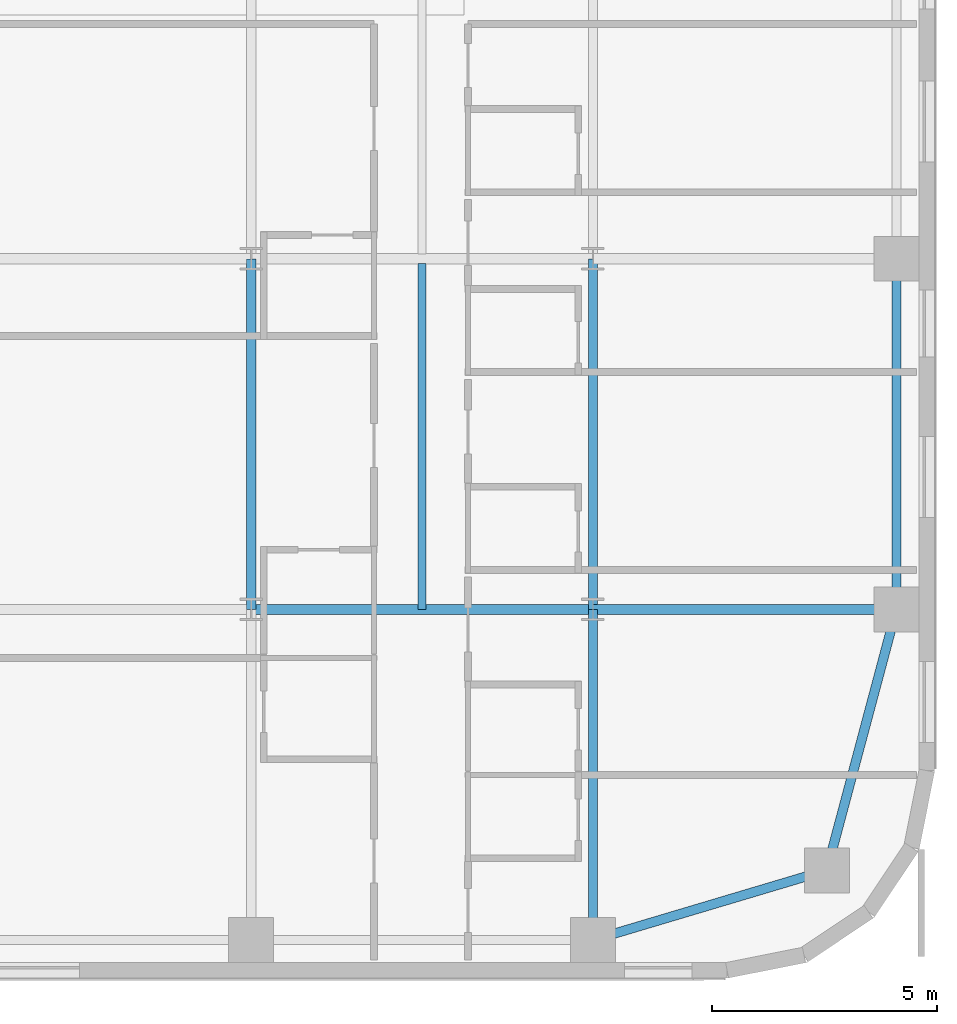
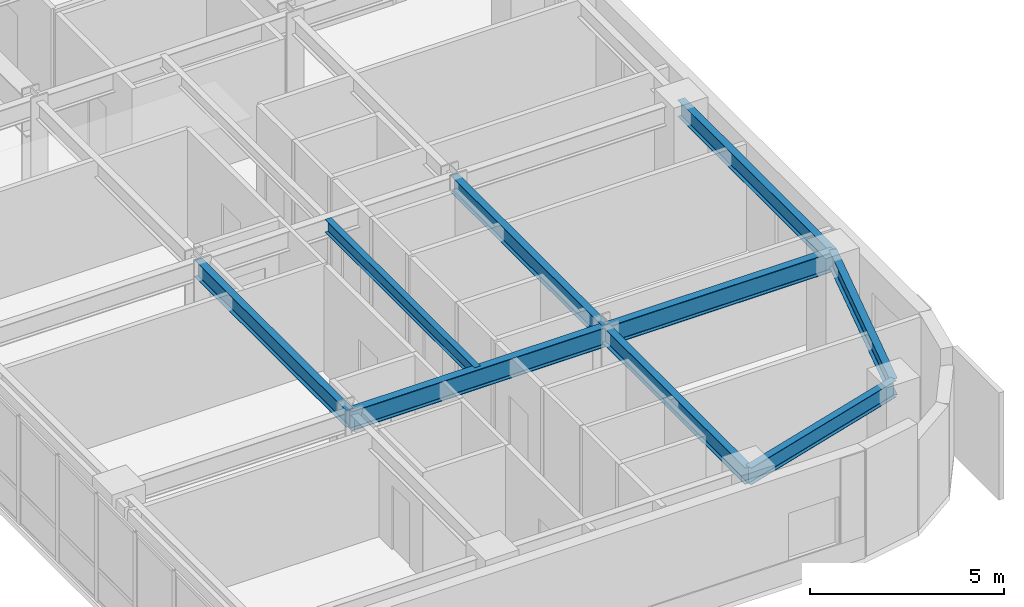
# One storey, part 10 of 25: 9 beams.
"""IFC4 building model written with IfcOpenShell, lengths in metres."""

from ifc_helpers import new_model, si_unit, direction, frame, origin, origin_2d, place, context, subcontext, project, spatial, i_section, extrude, source, transform, mapped, material, material_profile, profile_set, type_object, type_shapes, element, save


model = new_model("IFC4")

# Units and contexts
model_context = context("Model", 3, precision=1e-05, world=origin(), true_north=direction((0.0, 1.0)))
body_context = subcontext(model_context, "Body", "Model", "MODEL_VIEW")
ifc_project = project(units=[si_unit("LENGTHUNIT", "METRE"), si_unit("AREAUNIT", "SQUARE_METRE"), si_unit("VOLUMEUNIT", "CUBIC_METRE"), si_unit("PLANEANGLEUNIT", "RADIAN"), si_unit("MASSUNIT", "GRAM", prefix="KILO")], contexts=[model_context])

# Site, building, storey
site_placement = place(None, origin())
site = spatial("IfcSite", under=ifc_project, at=site_placement, CompositionType="ELEMENT")
building_placement = place(site_placement, origin())
building = spatial("IfcBuilding", under=site, at=building_placement, Name="Tolvann Quenvar Hotel", CompositionType="ELEMENT")
storey_placement = place(building_placement, frame((0.0, 0.0, 39.10009765625)))
storey = spatial("IfcBuildingStorey", under=building, at=storey_placement, Name="L08", CompositionType="ELEMENT", Elevation=39.10009765625)

# Beams
ifc_material = material(Name="Steel Grade 350", Category="steel")
ifc_material_profile_1 = material_profile(ifc_material, i_section(OverallWidth=0.208984375, OverallDepth=0.528076171875, WebThickness=0.009521484375, FlangeThickness=0.01318359375, FilletRadius=0.013916015625, at=origin_2d()), Name="530UB82")
ifc_profile_set_1 = profile_set([ifc_material_profile_1], Name="Steel Grade 350")
beam_type_1 = type_object("IfcBeamType", Name="BM_SPAND_530UB82", PredefinedType="SPANDREL", material=ifc_profile_set_1)
shared_shape_1 = source(origin(), body_context, "Body", "SweptSolid", [
    extrude(i_section(OverallWidth=0.208984375, OverallDepth=0.528076171875, WebThickness=0.009521484375, FlangeThickness=0.01318359375, FilletRadius=0.013916015625, at=origin_2d()), origin(), (0.0, 0.0, 1.0), 5.42626953125),
])
beam_1_placement = place(storey_placement, frame((49.39990234375, 0.85009765625, 3.10595703125), z_axis=(0.958344815522, 0.285613750654, 0.0), x_axis=(-0.285613750654, 0.958344815522, 0.0)))
element("IfcBeam", 1, at=beam_1_placement, inside=storey, type_object=beam_type_1, Name="BM-L08-EW-2-I2-J2", PredefinedType="SPANDREL", context=body_context, shape_type="MappedRepresentation", body=[
    mapped(shared_shape_1, transform((0.0, 0.0, 0.0), x_axis=(1.0, 0.0, 0.0), y_axis=(0.0, 1.0, 0.0), z_axis=(0.0, 0.0, 1.0), scale=1.0)),
])
ifc_material_profile_2 = material_profile(ifc_material, i_section(OverallWidth=0.22900390625, OverallDepth=0.612060546875, WebThickness=0.011962890625, FlangeThickness=0.01953125, FilletRadius=0.013916015625, at=origin_2d()), Name="610UB125")
ifc_profile_set_2 = profile_set([ifc_material_profile_2], Name="Steel Grade 350")
beam_type_2 = type_object("IfcBeamType", Name="BM_GIRD_610UB125", PredefinedType="BEAM", material=ifc_profile_set_2)
shared_shape_2 = source(origin(), body_context, "Body", "SweptSolid", [
    extrude(i_section(OverallWidth=0.22900390625, OverallDepth=0.612060546875, WebThickness=0.011962890625, FlangeThickness=0.01953125, FilletRadius=0.013916015625, at=origin_2d()), origin(), (0.0, 0.0, 1.0), 6.75),
])
beam_2_placement = place(storey_placement, frame((49.39990234375, 8.199951171875, 3.06396484375), z_axis=(1.0, 0.0, 0.0), x_axis=(0.0, 1.0, 0.0)))
element("IfcBeam", 2, at=beam_2_placement, inside=storey, type_object=beam_type_2, Name="BM-L08-EW-3-I3-J3", PredefinedType="BEAM", context=body_context, shape_type="MappedRepresentation", body=[
    mapped(shared_shape_2, transform((0.0, 0.0, 0.0), x_axis=(1.0, 0.0, 0.0), y_axis=(0.0, 1.0, 0.0), z_axis=(0.0, 0.0, 1.0), scale=1.0)),
])
shared_shape_3 = source(origin(), body_context, "Body", "SweptSolid", [
    extrude(i_section(OverallWidth=0.22900390625, OverallDepth=0.612060546875, WebThickness=0.011962890625, FlangeThickness=0.01953125, FilletRadius=0.013916015625, at=origin_2d()), origin(), (0.0, 0.0, 1.0), 7.599853515625),
])
type_shapes(beam_type_2, [shared_shape_2, shared_shape_3])
beam_3_placement = place(storey_placement, frame((41.800048828125, 8.199951171875, 3.06396484375), z_axis=(1.0, 0.0, 0.0), x_axis=(0.0, 1.0, 0.0)))
element("IfcBeam", 3, at=beam_3_placement, inside=storey, type_object=beam_type_2, Name="BM-L08-EW-3-H3-I3", PredefinedType="BEAM", context=body_context, shape_type="MappedRepresentation", body=[
    mapped(shared_shape_3, transform((0.0, 0.0, 0.0), x_axis=(1.0, 0.0, 0.0), y_axis=(0.0, 1.0, 0.0), z_axis=(0.0, 0.0, 1.0), scale=1.0)),
])
shared_shape_4 = source(origin(), body_context, "Body", "SweptSolid", [
    extrude(i_section(OverallWidth=0.208984375, OverallDepth=0.528076171875, WebThickness=0.009521484375, FlangeThickness=0.01318359375, FilletRadius=0.013916015625, at=origin_2d()), origin(), (0.0, 0.0, 1.0), 6.00341796875),
])
beam_4_placement = place(storey_placement, frame((54.60009765625, 2.39990234375, 3.10595703125), z_axis=(0.258148586649, 0.966105225745, 0.0), x_axis=(-0.966105225745, 0.258148586649, 0.0)))
element("IfcBeam", 4, at=beam_4_placement, inside=storey, type_object=beam_type_1, Name="BM-L08-NS-J2-J3", PredefinedType="SPANDREL", context=body_context, shape_type="MappedRepresentation", body=[
    mapped(shared_shape_4, transform((0.0, 0.0, 0.0), x_axis=(1.0, 0.0, 0.0), y_axis=(0.0, 1.0, 0.0), z_axis=(0.0, 0.0, 1.0), scale=1.0)),
])
shared_shape_5 = source(origin(), body_context, "Body", "SweptSolid", [
    extrude(i_section(OverallWidth=0.208984375, OverallDepth=0.528076171875, WebThickness=0.009521484375, FlangeThickness=0.01318359375, FilletRadius=0.013916015625, at=origin_2d()), origin(), (0.0, 0.0, 1.0), 7.800048828125),
])
type_shapes(beam_type_1, [shared_shape_1, shared_shape_4, shared_shape_5])
beam_5_placement = place(storey_placement, frame((56.14990234375, 8.199951171875, 3.10595703125), z_axis=(0.0, 1.0, 0.0), x_axis=(-1.0, 0.0, 0.0)))
element("IfcBeam", 5, at=beam_5_placement, inside=storey, type_object=beam_type_1, Name="BM-L08-NS-J3-J4", PredefinedType="SPANDREL", context=body_context, shape_type="MappedRepresentation", body=[
    mapped(shared_shape_5, transform((0.0, 0.0, 0.0), x_axis=(1.0, 0.0, 0.0), y_axis=(0.0, 1.0, 0.0), z_axis=(0.0, 0.0, 1.0), scale=1.0)),
])
ifc_material_profile_3 = material_profile(ifc_material, i_section(OverallWidth=0.208984375, OverallDepth=0.532958984375, WebThickness=0.01025390625, FlangeThickness=0.015625, FilletRadius=0.013916015625, at=origin_2d()), Name="530UB92")
ifc_profile_set_3 = profile_set([ifc_material_profile_3], Name="Steel Grade 350")
beam_type_3 = type_object("IfcBeamType", Name="BM_GIRD_530UB92", PredefinedType="BEAM", material=ifc_profile_set_3)
shared_shape_6 = source(origin(), body_context, "Body", "SweptSolid", [
    extrude(i_section(OverallWidth=0.208984375, OverallDepth=0.532958984375, WebThickness=0.01025390625, FlangeThickness=0.015625, FilletRadius=0.013916015625, at=origin_2d()), origin(), (0.0, 0.0, 1.0), 7.349853515625),
])
beam_6_placement = place(storey_placement, frame((49.39990234375, 0.85009765625, 3.103515625), z_axis=(0.0, 1.0, 0.0), x_axis=(-1.0, 0.0, 0.0)))
element("IfcBeam", 6, at=beam_6_placement, inside=storey, type_object=beam_type_3, Name="BM-L08-NS-I2-I3", PredefinedType="BEAM", context=body_context, shape_type="MappedRepresentation", body=[
    mapped(shared_shape_6, transform((0.0, 0.0, 0.0), x_axis=(1.0, 0.0, 0.0), y_axis=(0.0, 1.0, 0.0), z_axis=(0.0, 0.0, 1.0), scale=1.0)),
])
shared_shape_7 = source(origin(), body_context, "Body", "SweptSolid", [
    extrude(i_section(OverallWidth=0.208984375, OverallDepth=0.532958984375, WebThickness=0.01025390625, FlangeThickness=0.015625, FilletRadius=0.013916015625, at=origin_2d()), origin(), (0.0, 0.0, 1.0), 7.800048828125),
])
type_shapes(beam_type_3, [shared_shape_6, shared_shape_7])
for number, where, z_axis, x_axis, name in (
    (7, (41.800048828125, 8.199951171875, 3.103515625), (0.0, 1.0, 0.0), (-1.0, 0.0, 0.0), "BM-L08-NS-H3-H4"),
    (8, (49.39990234375, 8.199951171875, 3.103515625), (0.0, 1.0, 0.0), (-1.0, 0.0, 0.0), "BM-L08-NS-I3-I4"),
):
    element("IfcBeam", number, at=place(storey_placement, frame(where, z_axis=z_axis, x_axis=x_axis)), inside=storey, type_object=beam_type_3, Name=name, PredefinedType="BEAM", context=body_context, shape_type="MappedRepresentation", body=[
        mapped(shared_shape_7, transform((0.0, 0.0, 0.0), x_axis=(1.0, 0.0, 0.0), y_axis=(0.0, 1.0, 0.0), z_axis=(0.0, 0.0, 1.0), scale=1.0)),
    ])
ifc_material_profile_4 = material_profile(ifc_material, i_section(OverallWidth=0.177978515625, OverallDepth=0.406005859375, WebThickness=0.0078125, FlangeThickness=0.0126953125, FilletRadius=0.011474609375, at=origin_2d()), Name="410UB60")
ifc_profile_set_4 = profile_set([ifc_material_profile_4], Name="Steel Grade 350")
beam_type_4 = type_object("IfcBeamType", Name="BM_JOIST_410UB60", PredefinedType="JOIST", material=ifc_profile_set_4)
shared_shape_8 = source(origin(), body_context, "Body", "SweptSolid", [
    extrude(i_section(OverallWidth=0.177978515625, OverallDepth=0.406005859375, WebThickness=0.0078125, FlangeThickness=0.0126953125, FilletRadius=0.011474609375, at=origin_2d()), origin(), (0.0, 0.0, 1.0), 7.691650390625),
])
type_shapes(beam_type_4, [shared_shape_8])
beam_7_placement = place(storey_placement, frame((45.60009765625, 8.199951171875, 3.1669921875), z_axis=(0.0, 1.0, 0.0), x_axis=(-1.0, 0.0, 0.0)))
element("IfcBeam", 9, at=beam_7_placement, inside=storey, type_object=beam_type_4, Name="BJ-L08-456-82", PredefinedType="JOIST", context=body_context, shape_type="MappedRepresentation", body=[
    mapped(shared_shape_8, transform((0.0, 0.0, 0.0), x_axis=(1.0, 0.0, 0.0), y_axis=(0.0, 1.0, 0.0), z_axis=(0.0, 0.0, 1.0), scale=1.0)),
])

save(model, "model.ifc")
